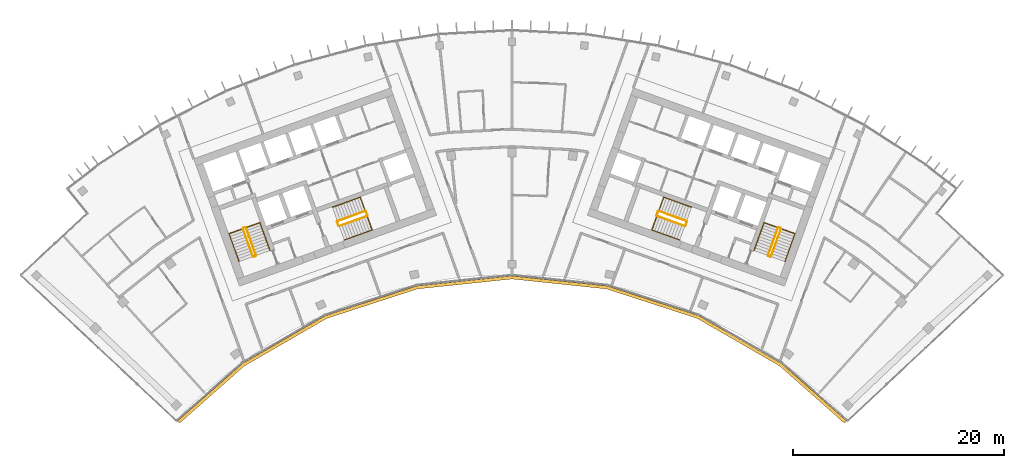
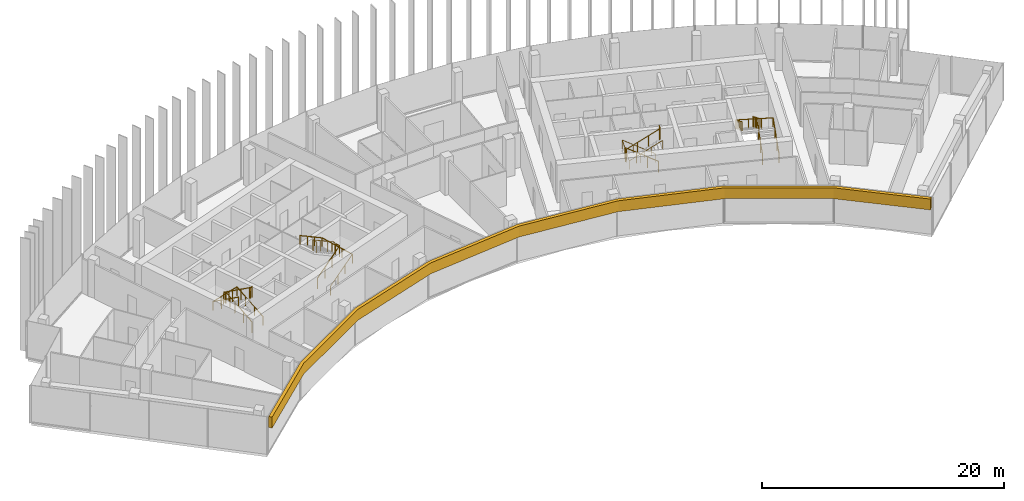
# One storey, part 19 of 19: 12 railings, 1 covering.
"""IFC4 building model written with IfcOpenShell, lengths in metres."""

from ifc_helpers import new_model, si_unit, direction, frame, origin, origin_2d, place, context, subcontext, project, spatial, polyline, circle, outline, extrude, material, layer, layer_set, type_object, element, save


model = new_model("IFC4")

# Units and contexts
model_context = context("Model", 3, precision=1e-05, world=origin(), true_north=direction((0.0, 1.0)))
body_context = subcontext(model_context, "Body", "Model", "MODEL_VIEW")
ifc_project = project(units=[si_unit("LENGTHUNIT", "METRE"), si_unit("AREAUNIT", "SQUARE_METRE"), si_unit("VOLUMEUNIT", "CUBIC_METRE"), si_unit("PLANEANGLEUNIT", "RADIAN"), si_unit("MASSUNIT", "GRAM", prefix="KILO")], contexts=[model_context])

# Site, building, storey
site_placement = place(None, origin())
site = spatial("IfcSite", under=ifc_project, at=site_placement, CompositionType="ELEMENT")
building_placement = place(site_placement, origin())
building = spatial("IfcBuilding", under=site, at=building_placement, Name="Stone Belt Terrace Tower", CompositionType="ELEMENT")
storey_placement = place(building_placement, frame((0.0, 0.0, 292.199951171875)))
storey = spatial("IfcBuildingStorey", under=building, at=storey_placement, Name="L71", CompositionType="ELEMENT", Elevation=292.199951171875)

# Railings
ifc_material_1 = material(Name="Structural steel C345", Category="steel")
railing_type_1 = type_object("IfcRailingType", Name="Stair guard 1100", PredefinedType="GUARDRAIL", material=ifc_material_1)
railing_1_placement = place(storey_placement, frame((-24.2119140625, 45.276123046875, 0.1728515625)))
element("IfcRailing", 1, at=railing_1_placement, inside=storey, type_object=railing_type_1, Name="L71 ST1A stair guard 1", PredefinedType="GUARDRAIL", context=body_context, shape_type="SweptSolid", body=[
    extrude(circle(Radius=0.02392578125, at=origin_2d()), frame((0.0, 0.0, 1.076171875), z_axis=(-0.288228637646, 0.800791768495, 0.525030280985), x_axis=(-0.940908529223, -0.338660803216, 0.0)), (0.0, 0.0, 1.0), 3.289794921875),
    extrude(circle(Radius=0.02392578125, at=origin_2d()), frame((-0.9482421875, 2.634521484375, 2.80322265625), z_axis=(-0.905209821074, 0.424964916, 0.0), x_axis=(-0.424964916, -0.905209821074, 0.0)), (0.0, 0.0, 1.0), 0.070556640625),
    extrude(circle(Radius=0.02392578125, at=origin_2d()), frame((-1.01220703125, 2.66455078125, 2.80322265625), z_axis=(-0.941105063269, -0.338114270461, 0.0), x_axis=(0.338114270461, -0.941105063269, 0.0)), (0.0, 0.0, 1.0), 0.199951171875),
    extrude(circle(Radius=0.02099609375, at=origin_2d()), origin(), (0.0, 0.0, 1.0), 1.052001953125),
    extrude(circle(Radius=0.02099609375, at=origin_2d()), frame((-0.316162109375, 0.878173828125, 0.57568359375)), (0.0, 0.0, 1.0), 1.052001953125),
    extrude(circle(Radius=0.02099609375, at=origin_2d()), frame((-0.632080078125, 1.75634765625, 1.151611328125)), (0.0, 0.0, 1.0), 1.052001953125),
    extrude(circle(Radius=0.02099609375, at=origin_2d()), frame((-0.9482421875, 2.634521484375, 1.727294921875)), (0.0, 0.0, 1.0), 1.052001953125),
    extrude(circle(Radius=0.02099609375, at=origin_2d()), frame((-1.01220703125, 2.66455078125, 1.727294921875)), (0.0, 0.0, 1.0), 1.052001953125),
    extrude(circle(Radius=0.02099609375, at=origin_2d()), frame((-1.200439453125, 2.596923828125, 1.727294921875)), (0.0, 0.0, 1.0), 1.052001953125),
])
railing_2_placement = place(storey_placement, frame((-25.4423828125, 47.80908203125, 2.07275390625)))
element("IfcRailing", 2, at=railing_2_placement, inside=storey, type_object=railing_type_1, Name="L71 ST1A stair guard 2", PredefinedType="GUARDRAIL", context=body_context, shape_type="SweptSolid", body=[
    extrude(circle(Radius=0.02392578125, at=origin_2d()), frame((0.0, 0.0, 1.076171875), z_axis=(0.288228637646, -0.800791768495, 0.525030280985), x_axis=(0.940908529223, 0.338660803216, 0.0)), (0.0, 0.0, 1.0), 3.289794921875),
    extrude(circle(Radius=0.02392578125, at=origin_2d()), frame((0.9482421875, -2.634521484375, 2.80322265625), z_axis=(0.903878284585, -0.427789722475, 0.0), x_axis=(0.427789722475, 0.903878284585, 0.0)), (0.0, 0.0, 1.0), 0.07080078125),
    extrude(circle(Radius=0.02392578125, at=origin_2d()), frame((1.01220703125, -2.664794921875, 2.80322265625), z_axis=(0.940575576748, 0.339584429008, 0.0), x_axis=(-0.339584429008, 0.940575576748, 0.0)), (0.0, 0.0, 1.0), 0.199951171875),
    extrude(circle(Radius=0.02099609375, at=origin_2d()), origin(), (0.0, 0.0, 1.0), 1.052001953125),
    extrude(circle(Radius=0.02099609375, at=origin_2d()), frame((0.316162109375, -0.878173828125, 0.57568359375)), (0.0, 0.0, 1.0), 1.052001953125),
    extrude(circle(Radius=0.02099609375, at=origin_2d()), frame((0.632080078125, -1.75634765625, 1.151611328125)), (0.0, 0.0, 1.0), 1.052001953125),
    extrude(circle(Radius=0.02099609375, at=origin_2d()), frame((0.9482421875, -2.634521484375, 1.727294921875)), (0.0, 0.0, 1.0), 1.052001953125),
    extrude(circle(Radius=0.02099609375, at=origin_2d()), frame((1.01220703125, -2.664794921875, 1.727294921875)), (0.0, 0.0, 1.0), 1.052001953125),
    extrude(circle(Radius=0.02099609375, at=origin_2d()), frame((1.2001953125, -2.596923828125, 1.727294921875)), (0.0, 0.0, 1.0), 1.052001953125),
])
railing_3_placement = place(storey_placement, frame((-16.33837890625, 48.056640625, 0.1728515625)))
element("IfcRailing", 3, at=railing_3_placement, inside=storey, type_object=railing_type_1, Name="L71 ST2A stair guard 1", PredefinedType="GUARDRAIL", context=body_context, shape_type="SweptSolid", body=[
    extrude(circle(Radius=0.02392578125, at=origin_2d()), frame((0.0, 0.0, 1.076171875), z_axis=(0.800808895155, 0.288160591223, 0.52504150989), x_axis=(-0.338583606334, 0.940936311087, 0.0)), (0.0, 0.0, 1.0), 3.289794921875),
    extrude(circle(Radius=0.02392578125, at=origin_2d()), frame((2.634521484375, 0.947998046875, 2.80322265625), z_axis=(0.427789722475, 0.903878284585, 0.0), x_axis=(-0.903878284585, 0.427789722475, 0.0)), (0.0, 0.0, 1.0), 0.07080078125),
    extrude(circle(Radius=0.02392578125, at=origin_2d()), frame((2.664794921875, 1.011962890625, 2.80322265625), z_axis=(-0.338654645739, 0.940910745459, 0.0), x_axis=(-0.940910745459, -0.338654645739, 0.0)), (0.0, 0.0, 1.0), 0.400146484375),
    extrude(circle(Radius=0.02099609375, at=origin_2d()), origin(), (0.0, 0.0, 1.0), 1.052001953125),
    extrude(circle(Radius=0.02099609375, at=origin_2d()), frame((0.878173828125, 0.31591796875, 0.57568359375)), (0.0, 0.0, 1.0), 1.052001953125),
    extrude(circle(Radius=0.02099609375, at=origin_2d()), frame((1.75634765625, 0.632080078125, 1.151611328125)), (0.0, 0.0, 1.0), 1.052001953125),
    extrude(circle(Radius=0.02099609375, at=origin_2d()), frame((2.634521484375, 0.947998046875, 1.727294921875)), (0.0, 0.0, 1.0), 1.052001953125),
    extrude(circle(Radius=0.02099609375, at=origin_2d()), frame((2.664794921875, 1.011962890625, 1.727294921875)), (0.0, 0.0, 1.0), 1.052001953125),
    extrude(circle(Radius=0.02099609375, at=origin_2d()), frame((2.529296875, 1.388427734375, 1.727294921875)), (0.0, 0.0, 1.0), 1.052001953125),
])
railing_4_placement = place(storey_placement, frame((-13.873046875, 49.47509765625, 2.07275390625)))
element("IfcRailing", 4, at=railing_4_placement, inside=storey, type_object=railing_type_1, Name="L71 ST2A stair guard 2", PredefinedType="GUARDRAIL", context=body_context, shape_type="SweptSolid", body=[
    extrude(circle(Radius=0.02392578125, at=origin_2d()), frame((0.0, 0.0, 1.076171875), z_axis=(-0.800808895155, -0.288160591223, 0.52504150989), x_axis=(0.338583606334, -0.940936311087, 0.0)), (0.0, 0.0, 1.0), 3.289794921875),
    extrude(circle(Radius=0.02392578125, at=origin_2d()), frame((-2.634521484375, -0.947998046875, 2.80322265625), z_axis=(-0.427789722475, -0.903878284585, 0.0), x_axis=(0.903878284585, -0.427789722475, 0.0)), (0.0, 0.0, 1.0), 0.07080078125),
    extrude(circle(Radius=0.02392578125, at=origin_2d()), frame((-2.664794921875, -1.011962890625, 2.80322265625), z_axis=(0.338654645739, -0.940910745459, 0.0), x_axis=(0.940910745459, 0.338654645739, 0.0)), (0.0, 0.0, 1.0), 0.400146484375),
    extrude(circle(Radius=0.02099609375, at=origin_2d()), origin(), (0.0, 0.0, 1.0), 1.052001953125),
    extrude(circle(Radius=0.02099609375, at=origin_2d()), frame((-0.878173828125, -0.31591796875, 0.57568359375)), (0.0, 0.0, 1.0), 1.052001953125),
    extrude(circle(Radius=0.02099609375, at=origin_2d()), frame((-1.75634765625, -0.632080078125, 1.151611328125)), (0.0, 0.0, 1.0), 1.052001953125),
    extrude(circle(Radius=0.02099609375, at=origin_2d()), frame((-2.634521484375, -0.947998046875, 1.727294921875)), (0.0, 0.0, 1.0), 1.052001953125),
    extrude(circle(Radius=0.02099609375, at=origin_2d()), frame((-2.664794921875, -1.011962890625, 1.727294921875)), (0.0, 0.0, 1.0), 1.052001953125),
    extrude(circle(Radius=0.02099609375, at=origin_2d()), frame((-2.529296875, -1.388427734375, 1.727294921875)), (0.0, 0.0, 1.0), 1.052001953125),
])
railing_5_placement = place(storey_placement, frame((24.494140625, 45.174560546875, 0.1728515625)))
element("IfcRailing", 5, at=railing_5_placement, inside=storey, type_object=railing_type_1, Name="L71 ST1B stair guard 1", PredefinedType="GUARDRAIL", context=body_context, shape_type="SweptSolid", body=[
    extrude(circle(Radius=0.02392578125, at=origin_2d()), frame((0.0, 0.0, 1.076171875), z_axis=(0.288228637646, 0.800791768495, 0.525030280985), x_axis=(-0.940908529223, 0.338660803216, 0.0)), (0.0, 0.0, 1.0), 3.289794921875),
    extrude(circle(Radius=0.02392578125, at=origin_2d()), frame((0.9482421875, 2.634521484375, 2.80322265625), z_axis=(-0.424964916, 0.905209821074, 0.0), x_axis=(-0.905209821074, -0.424964916, 0.0)), (0.0, 0.0, 1.0), 0.070556640625),
    extrude(circle(Radius=0.02392578125, at=origin_2d()), frame((0.918212890625, 2.698486328125, 2.80322265625), z_axis=(-0.941105063269, 0.338114270461, 0.0), x_axis=(-0.338114270461, -0.941105063269, 0.0)), (0.0, 0.0, 1.0), 0.199951171875),
    extrude(circle(Radius=0.02099609375, at=origin_2d()), origin(), (0.0, 0.0, 1.0), 1.052001953125),
    extrude(circle(Radius=0.02099609375, at=origin_2d()), frame((0.316162109375, 0.878173828125, 0.57568359375)), (0.0, 0.0, 1.0), 1.052001953125),
    extrude(circle(Radius=0.02099609375, at=origin_2d()), frame((0.632080078125, 1.75634765625, 1.151611328125)), (0.0, 0.0, 1.0), 1.052001953125),
    extrude(circle(Radius=0.02099609375, at=origin_2d()), frame((0.9482421875, 2.634521484375, 1.727294921875)), (0.0, 0.0, 1.0), 1.052001953125),
    extrude(circle(Radius=0.02099609375, at=origin_2d()), frame((0.918212890625, 2.698486328125, 1.727294921875)), (0.0, 0.0, 1.0), 1.052001953125),
    extrude(circle(Radius=0.02099609375, at=origin_2d()), frame((0.72998046875, 2.76611328125, 1.727294921875)), (0.0, 0.0, 1.0), 1.052001953125),
])
railing_6_placement = place(storey_placement, frame((25.16015625, 47.91064453125, 2.07275390625)))
element("IfcRailing", 6, at=railing_6_placement, inside=storey, type_object=railing_type_1, Name="L71 ST1B stair guard 2", PredefinedType="GUARDRAIL", context=body_context, shape_type="SweptSolid", body=[
    extrude(circle(Radius=0.02392578125, at=origin_2d()), frame((0.0, 0.0, 1.076171875), z_axis=(-0.288228637646, -0.800791768495, 0.525030280985), x_axis=(0.940908529223, -0.338660803216, 0.0)), (0.0, 0.0, 1.0), 3.289794921875),
    extrude(circle(Radius=0.02392578125, at=origin_2d()), frame((-0.9482421875, -2.634521484375, 2.80322265625), z_axis=(0.427789722475, -0.903878284585, 0.0), x_axis=(0.903878284585, 0.427789722475, 0.0)), (0.0, 0.0, 1.0), 0.07080078125),
    extrude(circle(Radius=0.02392578125, at=origin_2d()), frame((-0.91796875, -2.698486328125, 2.80322265625), z_axis=(0.940575576748, -0.339584429008, 0.0), x_axis=(0.339584429008, 0.940575576748, 0.0)), (0.0, 0.0, 1.0), 0.199951171875),
    extrude(circle(Radius=0.02099609375, at=origin_2d()), origin(), (0.0, 0.0, 1.0), 1.052001953125),
    extrude(circle(Radius=0.02099609375, at=origin_2d()), frame((-0.316162109375, -0.878173828125, 0.57568359375)), (0.0, 0.0, 1.0), 1.052001953125),
    extrude(circle(Radius=0.02099609375, at=origin_2d()), frame((-0.632080078125, -1.75634765625, 1.151611328125)), (0.0, 0.0, 1.0), 1.052001953125),
    extrude(circle(Radius=0.02099609375, at=origin_2d()), frame((-0.9482421875, -2.634521484375, 1.727294921875)), (0.0, 0.0, 1.0), 1.052001953125),
    extrude(circle(Radius=0.02099609375, at=origin_2d()), frame((-0.91796875, -2.698486328125, 1.727294921875)), (0.0, 0.0, 1.0), 1.052001953125),
    extrude(circle(Radius=0.02099609375, at=origin_2d()), frame((-0.72998046875, -2.766357421875, 1.727294921875)), (0.0, 0.0, 1.0), 1.052001953125),
])
railing_7_placement = place(storey_placement, frame((16.507568359375, 48.527099609375, 0.1728515625)))
element("IfcRailing", 7, at=railing_7_placement, inside=storey, type_object=railing_type_1, Name="L71 ST2B stair guard 1", PredefinedType="GUARDRAIL", context=body_context, shape_type="SweptSolid", body=[
    extrude(circle(Radius=0.02392578125, at=origin_2d()), frame((0.0, 0.0, 1.076171875), z_axis=(-0.800808895155, 0.288160591223, 0.52504150989), x_axis=(-0.338583606334, -0.940936311087, 0.0)), (0.0, 0.0, 1.0), 3.289794921875),
    extrude(circle(Radius=0.02392578125, at=origin_2d()), frame((-2.634521484375, 0.947998046875, 2.80322265625), z_axis=(-0.905209821074, -0.424964916, 0.0), x_axis=(0.424964916, -0.905209821074, 0.0)), (0.0, 0.0, 1.0), 0.070556640625),
    extrude(circle(Radius=0.02392578125, at=origin_2d()), frame((-2.698486328125, 0.91796875, 2.80322265625), z_axis=(-0.338654645739, -0.940910745459, 0.0), x_axis=(0.940910745459, -0.338654645739, 0.0)), (0.0, 0.0, 1.0), 0.400146484375),
    extrude(circle(Radius=0.02099609375, at=origin_2d()), origin(), (0.0, 0.0, 1.0), 1.052001953125),
    extrude(circle(Radius=0.02099609375, at=origin_2d()), frame((-0.878173828125, 0.31591796875, 0.57568359375)), (0.0, 0.0, 1.0), 1.052001953125),
    extrude(circle(Radius=0.02099609375, at=origin_2d()), frame((-1.75634765625, 0.632080078125, 1.151611328125)), (0.0, 0.0, 1.0), 1.052001953125),
    extrude(circle(Radius=0.02099609375, at=origin_2d()), frame((-2.634521484375, 0.947998046875, 1.727294921875)), (0.0, 0.0, 1.0), 1.052001953125),
    extrude(circle(Radius=0.02099609375, at=origin_2d()), frame((-2.698486328125, 0.91796875, 1.727294921875)), (0.0, 0.0, 1.0), 1.052001953125),
    extrude(circle(Radius=0.02099609375, at=origin_2d()), frame((-2.833984375, 0.54150390625, 1.727294921875)), (0.0, 0.0, 1.0), 1.052001953125),
])
railing_8_placement = place(storey_placement, frame((13.703857421875, 49.004638671875, 2.07275390625)))
element("IfcRailing", 8, at=railing_8_placement, inside=storey, type_object=railing_type_1, Name="L71 ST2B stair guard 2", PredefinedType="GUARDRAIL", context=body_context, shape_type="SweptSolid", body=[
    extrude(circle(Radius=0.02392578125, at=origin_2d()), frame((0.0, 0.0, 1.076171875), z_axis=(0.800808895155, -0.288160591223, 0.52504150989), x_axis=(0.338583606334, 0.940936311087, 0.0)), (0.0, 0.0, 1.0), 3.289794921875),
    extrude(circle(Radius=0.02392578125, at=origin_2d()), frame((2.634521484375, -0.947998046875, 2.80322265625), z_axis=(0.905209821074, 0.424964916, 0.0), x_axis=(-0.424964916, 0.905209821074, 0.0)), (0.0, 0.0, 1.0), 0.070556640625),
    extrude(circle(Radius=0.02392578125, at=origin_2d()), frame((2.698486328125, -0.91796875, 2.80322265625), z_axis=(0.338654645739, 0.940910745459, 0.0), x_axis=(-0.940910745459, 0.338654645739, 0.0)), (0.0, 0.0, 1.0), 0.400146484375),
    extrude(circle(Radius=0.02099609375, at=origin_2d()), origin(), (0.0, 0.0, 1.0), 1.052001953125),
    extrude(circle(Radius=0.02099609375, at=origin_2d()), frame((0.878173828125, -0.31591796875, 0.57568359375)), (0.0, 0.0, 1.0), 1.052001953125),
    extrude(circle(Radius=0.02099609375, at=origin_2d()), frame((1.75634765625, -0.632080078125, 1.151611328125)), (0.0, 0.0, 1.0), 1.052001953125),
    extrude(circle(Radius=0.02099609375, at=origin_2d()), frame((2.634521484375, -0.947998046875, 1.727294921875)), (0.0, 0.0, 1.0), 1.052001953125),
    extrude(circle(Radius=0.02099609375, at=origin_2d()), frame((2.698486328125, -0.91796875, 1.727294921875)), (0.0, 0.0, 1.0), 1.052001953125),
    extrude(circle(Radius=0.02099609375, at=origin_2d()), frame((2.833984375, -0.54150390625, 1.727294921875)), (0.0, 0.0, 1.0), 1.052001953125),
])
railing_type_2 = type_object("IfcRailingType", Name="Stair handrail 900", PredefinedType="HANDRAIL", material=ifc_material_1)
railing_9_placement = place(storey_placement, frame((-22.894775390625, 45.750244140625, 0.1728515625)))
element("IfcRailing", 9, at=railing_9_placement, inside=storey, type_object=railing_type_2, Name="L71 ST1A stair handrail 1", PredefinedType="HANDRAIL", context=body_context, shape_type="SweptSolid", body=[
    extrude(circle(Radius=0.02392578125, at=origin_2d()), frame((0.0, 0.0, 0.8759765625), z_axis=(-0.288160591223, 0.800808895155, 0.52504150989), x_axis=(-0.940936311087, -0.338583606334, 0.0)), (0.0, 0.0, 1.0), 3.289794921875),
    extrude(circle(Radius=0.02392578125, at=origin_2d()), frame((-0.947998046875, 2.634521484375, 2.60302734375), z_axis=(-0.939464517435, -0.338106580597, 0.055591012205), x_axis=(0.338630230244, -0.940919532779, 0.0)), (0.0, 0.0, 1.0), 3.10498046875),
    extrude(circle(Radius=0.02392578125, at=origin_2d()), frame((-3.864990234375, 1.584716796875, 2.77587890625), z_axis=(0.288228637646, -0.800791768495, 0.525030280985), x_axis=(0.940908529223, 0.338660803216, 0.0)), (0.0, 0.0, 1.0), 3.289794921875),
    extrude(circle(Radius=0.02099609375, at=origin_2d()), origin(), (0.0, 0.0, 1.0), 0.851806640625),
    extrude(circle(Radius=0.02099609375, at=origin_2d()), frame((-0.31591796875, 0.878173828125, 0.57568359375)), (0.0, 0.0, 1.0), 0.851806640625),
    extrude(circle(Radius=0.02099609375, at=origin_2d()), frame((-0.632080078125, 1.75634765625, 1.151611328125)), (0.0, 0.0, 1.0), 0.851806640625),
    extrude(circle(Radius=0.02099609375, at=origin_2d()), frame((-0.947998046875, 2.634521484375, 1.727294921875)), (0.0, 0.0, 1.0), 0.851806640625),
    extrude(circle(Radius=0.02099609375, at=origin_2d()), frame((-1.92041015625, 2.28466796875, 1.784912109375)), (0.0, 0.0, 1.0), 0.851806640625),
    extrude(circle(Radius=0.02099609375, at=origin_2d()), frame((-2.892578125, 1.9345703125, 1.84228515625)), (0.0, 0.0, 1.0), 0.851806640625),
    extrude(circle(Radius=0.02099609375, at=origin_2d()), frame((-3.864990234375, 1.584716796875, 1.89990234375)), (0.0, 0.0, 1.0), 0.851806640625),
    extrude(circle(Radius=0.02099609375, at=origin_2d()), frame((-3.548828125, 0.70654296875, 2.4755859375)), (0.0, 0.0, 1.0), 0.851806640625),
    extrude(circle(Radius=0.02099609375, at=origin_2d()), frame((-3.23291015625, -0.171630859375, 3.051513671875)), (0.0, 0.0, 1.0), 0.851806640625),
    extrude(circle(Radius=0.02099609375, at=origin_2d()), frame((-2.916748046875, -1.0498046875, 3.627197265625)), (0.0, 0.0, 1.0), 0.851806640625),
])
railing_10_placement = place(storey_placement, frame((-15.8642578125, 46.7392578125, 0.1728515625)))
element("IfcRailing", 10, at=railing_10_placement, inside=storey, type_object=railing_type_2, Name="L71 ST2A stair handrail 1", PredefinedType="HANDRAIL", context=body_context, shape_type="SweptSolid", body=[
    extrude(circle(Radius=0.02392578125, at=origin_2d()), frame((0.0, 0.0, 0.8759765625), z_axis=(0.800791768495, 0.288228637646, 0.525030280985), x_axis=(-0.338660803216, 0.940908529223, 0.0)), (0.0, 0.0, 1.0), 3.289794921875),
    extrude(circle(Radius=0.02392578125, at=origin_2d()), frame((2.634521484375, 0.9482421875, 2.60302734375), z_axis=(-0.338160254016, 0.939637778147, 0.052234935458), x_axis=(-0.940922302781, -0.338622533404, 0.0)), (0.0, 0.0, 1.0), 3.304443359375),
    extrude(circle(Radius=0.02392578125, at=origin_2d()), frame((1.51708984375, 4.05322265625, 2.77587890625), z_axis=(-0.800791768495, -0.288228637646, 0.525030280985), x_axis=(0.338660803216, -0.940908529223, 0.0)), (0.0, 0.0, 1.0), 3.289794921875),
    extrude(circle(Radius=0.02099609375, at=origin_2d()), origin(), (0.0, 0.0, 1.0), 0.851806640625),
    extrude(circle(Radius=0.02099609375, at=origin_2d()), frame((0.878173828125, 0.316162109375, 0.57568359375)), (0.0, 0.0, 1.0), 0.851806640625),
    extrude(circle(Radius=0.02099609375, at=origin_2d()), frame((1.75634765625, 0.632080078125, 1.151611328125)), (0.0, 0.0, 1.0), 0.851806640625),
    extrude(circle(Radius=0.02099609375, at=origin_2d()), frame((2.634521484375, 0.9482421875, 1.727294921875)), (0.0, 0.0, 1.0), 0.851806640625),
    extrude(circle(Radius=0.02099609375, at=origin_2d()), frame((2.261962890625, 1.983154296875, 1.784912109375)), (0.0, 0.0, 1.0), 0.851806640625),
    extrude(circle(Radius=0.02099609375, at=origin_2d()), frame((1.8896484375, 3.018310546875, 1.84228515625)), (0.0, 0.0, 1.0), 0.851806640625),
    extrude(circle(Radius=0.02099609375, at=origin_2d()), frame((1.51708984375, 4.05322265625, 1.89990234375)), (0.0, 0.0, 1.0), 0.851806640625),
    extrude(circle(Radius=0.02099609375, at=origin_2d()), frame((0.638916015625, 3.737060546875, 2.4755859375)), (0.0, 0.0, 1.0), 0.851806640625),
    extrude(circle(Radius=0.02099609375, at=origin_2d()), frame((-0.2392578125, 3.421142578125, 3.051513671875)), (0.0, 0.0, 1.0), 0.851806640625),
    extrude(circle(Radius=0.02099609375, at=origin_2d()), frame((-1.117431640625, 3.10498046875, 3.627197265625)), (0.0, 0.0, 1.0), 0.851806640625),
])
railing_11_placement = place(storey_placement, frame((25.8115234375, 44.700439453125, 0.1728515625)))
element("IfcRailing", 11, at=railing_11_placement, inside=storey, type_object=railing_type_2, Name="L71 ST1B stair handrail 1", PredefinedType="HANDRAIL", context=body_context, shape_type="SweptSolid", body=[
    extrude(circle(Radius=0.02392578125, at=origin_2d()), frame((0.0, 0.0, 0.8759765625), z_axis=(0.288228637646, 0.800791768495, 0.525030280985), x_axis=(-0.940908529223, 0.338660803216, 0.0)), (0.0, 0.0, 1.0), 3.289794921875),
    extrude(circle(Radius=0.02392578125, at=origin_2d()), frame((0.9482421875, 2.634521484375, 2.60302734375), z_axis=(-0.939464517435, 0.338106580597, 0.055591012205), x_axis=(-0.338630230244, -0.940919532779, 0.0)), (0.0, 0.0, 1.0), 3.10498046875),
    extrude(circle(Radius=0.02392578125, at=origin_2d()), frame((-1.96875, 3.684326171875, 2.77587890625), z_axis=(-0.288160591223, -0.800808895155, 0.52504150989), x_axis=(0.940936311087, -0.338583606334, 0.0)), (0.0, 0.0, 1.0), 3.289794921875),
    extrude(circle(Radius=0.02099609375, at=origin_2d()), origin(), (0.0, 0.0, 1.0), 0.851806640625),
    extrude(circle(Radius=0.02099609375, at=origin_2d()), frame((0.316162109375, 0.878173828125, 0.57568359375)), (0.0, 0.0, 1.0), 0.851806640625),
    extrude(circle(Radius=0.02099609375, at=origin_2d()), frame((0.632080078125, 1.75634765625, 1.151611328125)), (0.0, 0.0, 1.0), 0.851806640625),
    extrude(circle(Radius=0.02099609375, at=origin_2d()), frame((0.9482421875, 2.634521484375, 1.727294921875)), (0.0, 0.0, 1.0), 0.851806640625),
    extrude(circle(Radius=0.02099609375, at=origin_2d()), frame((-0.024169921875, 2.984375, 1.784912109375)), (0.0, 0.0, 1.0), 0.851806640625),
    extrude(circle(Radius=0.02099609375, at=origin_2d()), frame((-0.996337890625, 3.33447265625, 1.84228515625)), (0.0, 0.0, 1.0), 0.851806640625),
    extrude(circle(Radius=0.02099609375, at=origin_2d()), frame((-1.96875, 3.684326171875, 1.89990234375)), (0.0, 0.0, 1.0), 0.851806640625),
    extrude(circle(Radius=0.02099609375, at=origin_2d()), frame((-2.28466796875, 2.80615234375, 2.4755859375)), (0.0, 0.0, 1.0), 0.851806640625),
    extrude(circle(Radius=0.02099609375, at=origin_2d()), frame((-2.600830078125, 1.927978515625, 3.051513671875)), (0.0, 0.0, 1.0), 0.851806640625),
    extrude(circle(Radius=0.02099609375, at=origin_2d()), frame((-2.916748046875, 1.0498046875, 3.627197265625)), (0.0, 0.0, 1.0), 0.851806640625),
])
railing_12_placement = place(storey_placement, frame((16.981689453125, 49.84423828125, 0.1728515625)))
element("IfcRailing", 12, at=railing_12_placement, inside=storey, type_object=railing_type_2, Name="L71 ST2B stair handrail 1", PredefinedType="HANDRAIL", context=body_context, shape_type="SweptSolid", body=[
    extrude(circle(Radius=0.02392578125, at=origin_2d()), frame((0.0, 0.0, 0.8759765625), z_axis=(-0.800791768495, 0.288228637646, 0.525030280985), x_axis=(-0.338660803216, -0.940908529223, 0.0)), (0.0, 0.0, 1.0), 3.289794921875),
    extrude(circle(Radius=0.02392578125, at=origin_2d()), frame((-2.634521484375, 0.9482421875, 2.60302734375), z_axis=(-0.338160254016, -0.939637778147, 0.052234935458), x_axis=(0.940922302781, -0.338622533404, 0.0)), (0.0, 0.0, 1.0), 3.304443359375),
    extrude(circle(Radius=0.02392578125, at=origin_2d()), frame((-3.751953125, -2.15673828125, 2.77587890625), z_axis=(0.800791768495, -0.288228637646, 0.525030280985), x_axis=(0.338660803216, 0.940908529223, 0.0)), (0.0, 0.0, 1.0), 3.289794921875),
    extrude(circle(Radius=0.02099609375, at=origin_2d()), origin(), (0.0, 0.0, 1.0), 0.851806640625),
    extrude(circle(Radius=0.02099609375, at=origin_2d()), frame((-0.878173828125, 0.316162109375, 0.57568359375)), (0.0, 0.0, 1.0), 0.851806640625),
    extrude(circle(Radius=0.02099609375, at=origin_2d()), frame((-1.75634765625, 0.632080078125, 1.151611328125)), (0.0, 0.0, 1.0), 0.851806640625),
    extrude(circle(Radius=0.02099609375, at=origin_2d()), frame((-2.634521484375, 0.9482421875, 1.727294921875)), (0.0, 0.0, 1.0), 0.851806640625),
    extrude(circle(Radius=0.02099609375, at=origin_2d()), frame((-3.007080078125, -0.086669921875, 1.784912109375)), (0.0, 0.0, 1.0), 0.851806640625),
    extrude(circle(Radius=0.02099609375, at=origin_2d()), frame((-3.37939453125, -1.121826171875, 1.84228515625)), (0.0, 0.0, 1.0), 0.851806640625),
    extrude(circle(Radius=0.02099609375, at=origin_2d()), frame((-3.751953125, -2.15673828125, 1.89990234375)), (0.0, 0.0, 1.0), 0.851806640625),
    extrude(circle(Radius=0.02099609375, at=origin_2d()), frame((-2.873779296875, -2.472900390625, 2.4755859375)), (0.0, 0.0, 1.0), 0.851806640625),
    extrude(circle(Radius=0.02099609375, at=origin_2d()), frame((-1.99560546875, -2.788818359375, 3.051513671875)), (0.0, 0.0, 1.0), 0.851806640625),
    extrude(circle(Radius=0.02099609375, at=origin_2d()), frame((-1.117431640625, -3.10498046875, 3.627197265625)), (0.0, 0.0, 1.0), 0.851806640625),
])

# Covering
ifc_material_2 = material(Name="Terracotta coloured glazed ceramic", Category="masonry")
ifc_layer = layer(ifc_material_2, 0.300048828125)
ifc_layer_set = layer_set([ifc_layer], Name="Terracotta spandrel band 300 x 1100")
covering_type = type_object("IfcCoveringType", Name="Terracotta spandrel band 300 x 1100", PredefinedType="CLADDING", material=ifc_layer_set)
covering_placement = place(storey_placement, frame((0.0, 0.0, 2.699951171875)))
element("IfcCovering", 13, at=covering_placement, inside=storey, type_object=covering_type, Name="BAND L71", PredefinedType="CLADDING", context=body_context, shape_type="SweptSolid", body=[
    extrude(outline(polyline([(-31.651611328125, 29.6220703125), (-25.480712890625, 35.06982421875), (-17.631591796875, 39.6015625), (-9.0126953125, 42.40185546875), (0.0, 43.34912109375), (9.0126953125, 42.40185546875), (17.631591796875, 39.6015625), (25.480712890625, 35.06982421875), (31.651611328125, 29.6220703125), (31.453125, 29.39697265625), (25.3046875, 34.824951171875), (17.509033203125, 39.325927734375), (8.9501953125, 42.10693359375), (0.0, 43.047607421875), (-8.9501953125, 42.10693359375), (-17.509033203125, 39.325927734375), (-25.3046875, 34.824951171875), (-31.453125, 29.39697265625), (-31.651611328125, 29.6220703125)])), origin(), (0.0, 0.0, 1.0), 1.10009765625),
])

save(model, "model.ifc")
